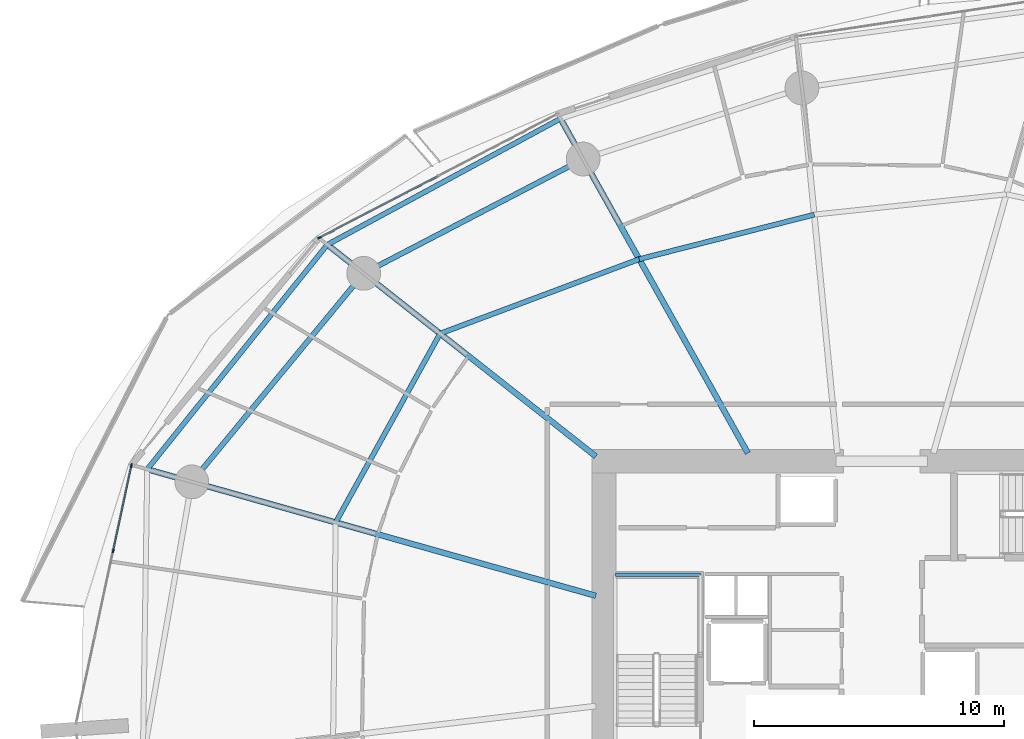
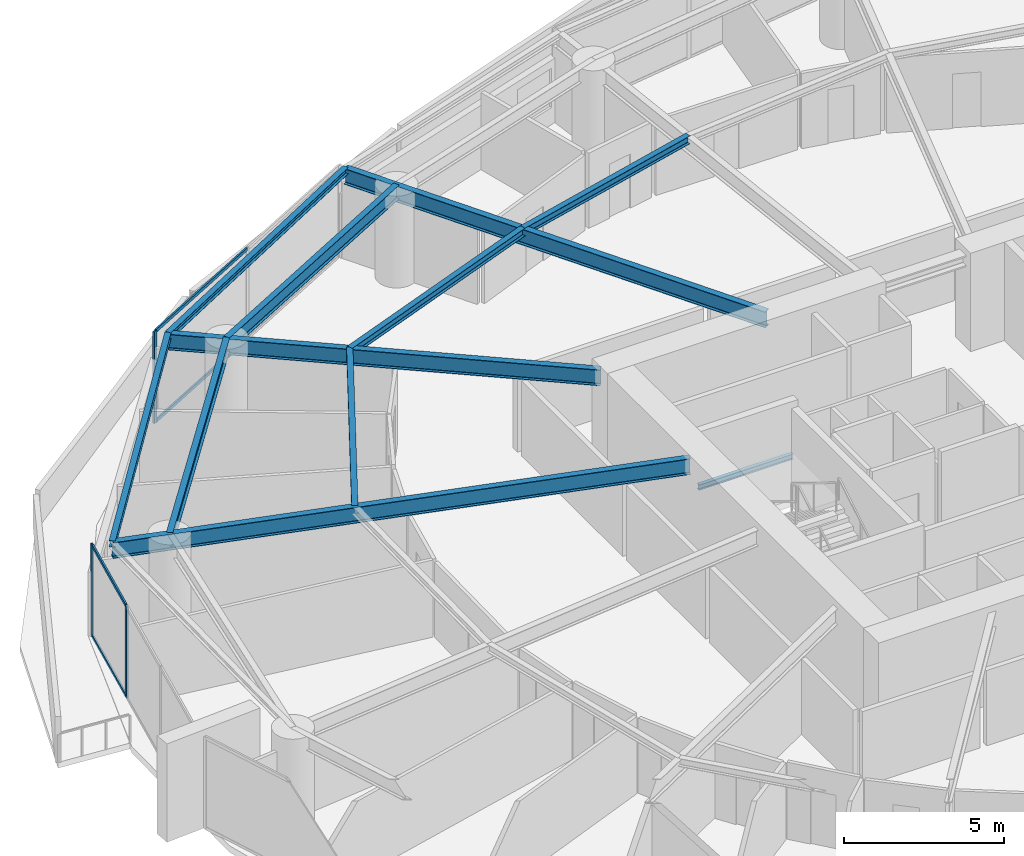
# One storey, part 12 of 31: 11 beams, 7 members, 2 elements without a shape of their own.
"""IFC4 building model written with IfcOpenShell, lengths in metres."""

from ifc_helpers import new_model, si_unit, direction, frame, origin, origin_2d, place, context, subcontext, project, spatial, rectangle, i_section, extrude, material, layer, layer_set, material_profile, profile_set, type_object, element, aggregate, save


model = new_model("IFC4")

# Units and contexts
model_context = context("Model", 3, precision=1e-05, world=origin(), true_north=direction((0.0, 1.0)))
body_context = subcontext(model_context, "Body", "Model", "MODEL_VIEW")
ifc_project = project(units=[si_unit("LENGTHUNIT", "METRE"), si_unit("AREAUNIT", "SQUARE_METRE"), si_unit("VOLUMEUNIT", "CUBIC_METRE"), si_unit("PLANEANGLEUNIT", "RADIAN"), si_unit("MASSUNIT", "GRAM", prefix="KILO")], contexts=[model_context])

# Site, building, storey
site_placement = place(None, origin())
site = spatial("IfcSite", under=ifc_project, at=site_placement, CompositionType="ELEMENT")
building_placement = place(site_placement, origin())
building = spatial("IfcBuilding", under=site, at=building_placement, Name="Kazma Halo Residences", CompositionType="ELEMENT")
storey_placement = place(building_placement, frame((0.0, 0.0, 37.64990234375)))
storey = spatial("IfcBuildingStorey", under=building, at=storey_placement, Name="L08", CompositionType="ELEMENT", Elevation=37.64990234375)

# Beams
ifc_material_1 = material(Name="Steel S355", Category="steel")
ifc_material_profile_1 = material_profile(ifc_material_1, i_section(OverallWidth=0.201904296875, OverallDepth=0.2470703125, WebThickness=0.00732421875, FlangeThickness=0.010986328125, FilletRadius=0.011962890625, at=origin_2d()), Name="W250x49.1")
ifc_profile_set_1 = profile_set([ifc_material_profile_1], Name="Steel S355")
beam_type_1 = type_object("IfcBeamType", Name="BM-BAL-CANT", PredefinedType="BEAM", material=ifc_profile_set_1)
beam_1_placement = place(storey_placement, frame((35.587646484375, 64.163818359375, 3.376708984375), z_axis=(-0.879759421466, -0.47541914175, 0.0), x_axis=(0.47541914175, -0.879759421466, 0.0)))
element("IfcBeam", 1, at=beam_1_placement, inside=storey, type_object=beam_type_1, Name="L08 wave-balcony tie beam 05", PredefinedType="BEAM", context=body_context, shape_type="SweptSolid", body=[
    extrude(i_section(OverallWidth=0.201904296875, OverallDepth=0.2470703125, WebThickness=0.00732421875, FlangeThickness=0.010986328125, FilletRadius=0.011962890625, at=origin_2d()), origin(), (0.0, 0.0, 1.0), 10.58935546875),
])
beam_2_placement = place(storey_placement, frame((26.271484375, 59.12939453125, 3.376708984375), z_axis=(-0.625476617708, -0.780242911343, 0.0), x_axis=(0.780242911343, -0.625476617708, 0.0)))
element("IfcBeam", 2, at=beam_2_placement, inside=storey, type_object=beam_type_1, Name="L08 wave-balcony tie beam 06", PredefinedType="BEAM", context=body_context, shape_type="SweptSolid", body=[
    extrude(i_section(OverallWidth=0.201904296875, OverallDepth=0.2470703125, WebThickness=0.00732421875, FlangeThickness=0.010986328125, FilletRadius=0.011962890625, at=origin_2d()), origin(), (0.0, 0.0, 1.0), 11.499755859375),
])
ifc_material_profile_2 = material_profile(ifc_material_1, i_section(OverallWidth=0.22802734375, OverallDepth=0.60791015625, WebThickness=0.01123046875, FlangeThickness=0.017333984375, FilletRadius=0.01806640625, at=origin_2d()), Name="W610x113")
ifc_profile_set_2 = profile_set([ifc_material_profile_2], Name="Steel S355")
beam_type_2 = type_object("IfcBeamType", Name="BM-RAD-W610", PredefinedType="BEAM", material=ifc_profile_set_2)
beam_3_placement = place(storey_placement, frame((43.07177734375, 50.800048828125, 3.196044921875), z_axis=(-0.488624239587, 0.872494328055, 0.0), x_axis=(-0.872494328055, -0.488624239587, 0.0)))
element("IfcBeam", 3, at=beam_3_placement, inside=storey, type_object=beam_type_2, Name="L08 radial floor beam 05", PredefinedType="BEAM", context=body_context, shape_type="SweptSolid", body=[
    extrude(i_section(OverallWidth=0.22802734375, OverallDepth=0.60791015625, WebThickness=0.01123046875, FlangeThickness=0.017333984375, FilletRadius=0.01806640625, at=origin_2d()), origin(), (0.0, 0.0, 1.0), 15.316650390625),
])
beam_4_placement = place(storey_placement, frame((37.0, 50.671630859375, 3.196044921875), z_axis=(-0.78531394447, 0.619097737536, 0.0), x_axis=(-0.619097737536, -0.78531394447, 0.0)))
element("IfcBeam", 4, at=beam_4_placement, inside=storey, type_object=beam_type_2, Name="L08 radial floor beam 06", PredefinedType="BEAM", context=body_context, shape_type="SweptSolid", body=[
    extrude(i_section(OverallWidth=0.22802734375, OverallDepth=0.60791015625, WebThickness=0.01123046875, FlangeThickness=0.017333984375, FilletRadius=0.01806640625, at=origin_2d()), origin(), (0.0, 0.0, 1.0), 13.661376953125),
])
beam_5_placement = place(storey_placement, frame((37.0, 45.102294921875, 3.196044921875), z_axis=(-0.962453979784, 0.271444905641, 0.0), x_axis=(-0.271444905641, -0.962453979784, 0.0)))
element("IfcBeam", 5, at=beam_5_placement, inside=storey, type_object=beam_type_2, Name="L08 radial floor beam 07", PredefinedType="BEAM", context=body_context, shape_type="SweptSolid", body=[
    extrude(i_section(OverallWidth=0.22802734375, OverallDepth=0.60791015625, WebThickness=0.01123046875, FlangeThickness=0.017333984375, FilletRadius=0.01806640625, at=origin_2d()), origin(), (0.0, 0.0, 1.0), 18.62060546875),
])
ifc_material_profile_3 = material_profile(ifc_material_1, i_section(OverallWidth=0.202880859375, OverallDepth=0.302978515625, WebThickness=0.007568359375, FlangeThickness=0.01318359375, FilletRadius=0.013916015625, at=origin_2d()), Name="W310x60")
ifc_profile_set_3 = profile_set([ifc_material_profile_3], Name="Steel S355")
beam_type_3 = type_object("IfcBeamType", Name="BM-SEC-W310A", PredefinedType="JOIST", material=ifc_profile_set_3)
beam_6_placement = place(storey_placement, frame((45.7236328125, 60.329833984375, 3.3486328125), z_axis=(-0.969127021388, -0.246561993047, 0.0), x_axis=(0.246561993047, -0.969127021388, 0.0)))
element("IfcBeam", 6, at=beam_6_placement, inside=storey, type_object=beam_type_3, Name="L08 circumferential floor joist 04", PredefinedType="JOIST", context=body_context, shape_type="SweptSolid", body=[
    extrude(i_section(OverallWidth=0.202880859375, OverallDepth=0.302978515625, WebThickness=0.007568359375, FlangeThickness=0.01318359375, FilletRadius=0.013916015625, at=origin_2d()), origin(), (0.0, 0.0, 1.0), 7.21533203125),
])
beam_7_placement = place(storey_placement, frame((38.73095703125, 58.55078125, 3.3486328125), z_axis=(-0.936676104069, -0.350196910417, 0.0), x_axis=(0.350196910417, -0.936676104069, 0.0)))
element("IfcBeam", 7, at=beam_7_placement, inside=storey, type_object=beam_type_3, Name="L08 circumferential floor joist 05", PredefinedType="JOIST", context=body_context, shape_type="SweptSolid", body=[
    extrude(i_section(OverallWidth=0.202880859375, OverallDepth=0.302978515625, WebThickness=0.007568359375, FlangeThickness=0.01318359375, FilletRadius=0.013916015625, at=origin_2d()), origin(), (0.0, 0.0, 1.0), 8.4912109375),
])
beam_8_placement = place(storey_placement, frame((30.77734375, 55.5771484375, 3.3486328125), z_axis=(-0.483953872195, -0.875093509054, 0.0), x_axis=(0.875093509054, -0.483953872195, 0.0)))
element("IfcBeam", 8, at=beam_8_placement, inside=storey, type_object=beam_type_3, Name="L08 circumferential floor joist 06", PredefinedType="JOIST", context=body_context, shape_type="SweptSolid", body=[
    extrude(i_section(OverallWidth=0.202880859375, OverallDepth=0.302978515625, WebThickness=0.007568359375, FlangeThickness=0.01318359375, FilletRadius=0.013916015625, at=origin_2d()), origin(), (0.0, 0.0, 1.0), 8.619873046875),
])
ifc_material_profile_4 = material_profile(ifc_material_1, i_section(OverallWidth=0.208984375, OverallDepth=0.532958984375, WebThickness=0.01025390625, FlangeThickness=0.015625, FilletRadius=0.01611328125, at=origin_2d()), Name="W530x92")
ifc_profile_set_4 = profile_set([ifc_material_profile_4], Name="Steel S355")
beam_type_4 = type_object("IfcBeamType", Name="BM-SPN-W530", PredefinedType="BEAM", material=ifc_profile_set_4)
beam_9_placement = place(storey_placement, frame((36.49169921875, 62.549560546875, 3.233642578125), z_axis=(-0.886956241699, -0.461853467358, 0.0), x_axis=(0.461853467358, -0.886956241699, 0.0)))
element("IfcBeam", 9, at=beam_9_placement, inside=storey, type_object=beam_type_4, Name="L08 perimeter ring beam 05", PredefinedType="BEAM", context=body_context, shape_type="SweptSolid", body=[
    extrude(i_section(OverallWidth=0.208984375, OverallDepth=0.532958984375, WebThickness=0.01025390625, FlangeThickness=0.015625, FilletRadius=0.01611328125, at=origin_2d()), origin(), (0.0, 0.0, 1.0), 9.885009765625),
])
beam_10_placement = place(storey_placement, frame((27.72412109375, 57.984130859375, 3.233642578125), z_axis=(-0.636001336663, -0.771687954916, 0.0), x_axis=(0.771687954916, -0.636001336663, 0.0)))
element("IfcBeam", 10, at=beam_10_placement, inside=storey, type_object=beam_type_4, Name="L08 perimeter ring beam 06", PredefinedType="BEAM", context=body_context, shape_type="SweptSolid", body=[
    extrude(i_section(OverallWidth=0.208984375, OverallDepth=0.532958984375, WebThickness=0.01025390625, FlangeThickness=0.015625, FilletRadius=0.01611328125, at=origin_2d()), origin(), (0.0, 0.0, 1.0), 10.7939453125),
])
ifc_material_profile_5 = material_profile(ifc_material_1, i_section(OverallWidth=0.133056640625, OverallDepth=0.20703125, WebThickness=0.005859375, FlangeThickness=0.00830078125, FilletRadius=0.010009765625, at=origin_2d()), Name="W200x26.6")
ifc_profile_set_5 = profile_set([ifc_material_profile_5], Name="Steel S355")
beam_type_5 = type_object("IfcBeamType", Name="BM-TRIM-W200", PredefinedType="BEAM", material=ifc_profile_set_5)
beam_11_placement = place(storey_placement, frame((37.780029296875, 45.93994140625, 1.570068359375), z_axis=(1.0, 0.0, 0.0), x_axis=(0.0, 1.0, 0.0)))
element("IfcBeam", 11, at=beam_11_placement, inside=storey, type_object=beam_type_5, Name="L08 ST-01 landing end wall ledger", PredefinedType="BEAM", context=body_context, shape_type="SweptSolid", body=[
    extrude(i_section(OverallWidth=0.133056640625, OverallDepth=0.20703125, WebThickness=0.005859375, FlangeThickness=0.00830078125, FilletRadius=0.010009765625, at=origin_2d()), origin(), (0.0, 0.0, 1.0), 3.39990234375),
])

# Curtain wall, member
ifc_material_2 = material(Name="Aluminium AW-6063 T6 and Triple-Silver Low-E Glass", Category="aluminium")
ifc_layer = layer(ifc_material_2, 0.159912109375)
ifc_layer_set = layer_set([ifc_layer], Name="Aluminium AW-6063 T6 and Triple-Silver Low-E Glass")
curtain_wall_type = type_object("IfcCurtainWallType", Name="CW-SYS-2", PredefinedType="NOTDEFINED", material=ifc_layer_set)
curtain_wall_1_placement = place(storey_placement, origin())
curtain_wall_1 = element("IfcCurtainWall", 12, at=curtain_wall_1_placement, inside=storey, type_object=curtain_wall_type, Name="L08 unitised curtain wall B05", PredefinedType="NOTDEFINED")
ifc_material_3 = material(Name="Aluminium AW-6063 T6", Category="aluminium")
ifc_material_profile_6 = material_profile(ifc_material_3, rectangle(XDim=0.06005859375, YDim=0.159912109375, at=origin_2d()), Name="CWM-60x160")
ifc_profile_set_6 = profile_set([ifc_material_profile_6], Name="Aluminium AW-6063 T6")
member_type_1 = type_object("IfcMemberType", Name="CW-SYS-2-MUL", PredefinedType="MULLION", material=ifc_profile_set_6)
member_1_placement = place(storey_placement, frame((25.96142578125, 59.408447265625, 0.0), z_axis=(0.0, 0.0, 1.0), x_axis=(0.460995912628, -0.887402258584, 0.0)))
member_1 = element("IfcMember", 13, at=member_1_placement, type_object=member_type_1, Name="CWS-2 mullion 3", PredefinedType="MULLION", context=body_context, shape_type="SweptSolid", body=[
    extrude(rectangle(XDim=0.06005859375, YDim=0.159912109375, at=origin_2d()), origin(), (0.0, 0.0, 1.0), 3.5),
])

# Curtain wall, members
curtain_wall_2_placement = place(storey_placement, origin())
curtain_wall_2 = element("IfcCurtainWall", 14, at=curtain_wall_2_placement, inside=storey, type_object=curtain_wall_type, Name="L08 unitised curtain wall B07", PredefinedType="NOTDEFINED")
member_2_placement = place(storey_placement, frame((18.447021484375, 50.3037109375, 0.0), z_axis=(0.0, 0.0, 1.0), x_axis=(0.977779215096, -0.209637321406, 0.0)))
member_2 = element("IfcMember", 15, at=member_2_placement, type_object=member_type_1, Name="CWS-2 mullion 1", PredefinedType="MULLION", context=body_context, shape_type="SweptSolid", body=[
    extrude(rectangle(XDim=0.06005859375, YDim=0.159912109375, at=origin_2d()), origin(), (0.0, 0.0, 1.0), 3.5),
])
member_3_placement = place(storey_placement, frame((17.717041015625, 46.898681640625, 0.0), z_axis=(0.0, 0.0, 1.0), x_axis=(0.977779215096, -0.209637321406, 0.0)))
member_3 = element("IfcMember", 16, at=member_3_placement, type_object=member_type_1, Name="CWS-2 mullion 2", PredefinedType="MULLION", context=body_context, shape_type="SweptSolid", body=[
    extrude(rectangle(XDim=0.06005859375, YDim=0.159912109375, at=origin_2d()), origin(), (0.0, 0.0, 1.0), 3.5),
])

# Member
ifc_material_profile_7 = material_profile(ifc_material_3, rectangle(XDim=0.06005859375, YDim=0.1201171875, at=origin_2d()), Name="CWT-60x120")
ifc_profile_set_7 = profile_set([ifc_material_profile_7], Name="Aluminium AW-6063 T6")
member_type_2 = type_object("IfcMemberType", Name="CW-SYS-2-TRN", PredefinedType="USERDEFINED", material=ifc_profile_set_7)
member_4_placement = place(storey_placement, frame((30.681396484375, 61.8603515625, 0.030029296875), z_axis=(-0.887414738583, -0.460971888238, 0.0), x_axis=(0.460971888238, -0.887414738583, 0.0)))
member_4 = element("IfcMember", 17, at=member_4_placement, type_object=member_type_2, Name="CWS-2 transom 2.1", ObjectType="TRANSOM", PredefinedType="USERDEFINED", context=body_context, shape_type="SweptSolid", body=[
    extrude(rectangle(XDim=0.06005859375, YDim=0.1201171875, at=origin_2d()), origin(), (0.0, 0.0, 1.0), 5.288818359375),
])

member_5_placement = place(storey_placement, frame((30.681396484375, 61.8603515625, 3.47021484375), z_axis=(-0.887414738583, -0.460971888238, 0.0), x_axis=(0.460971888238, -0.887414738583, 0.0)))
member_5 = element("IfcMember", 18, at=member_5_placement, type_object=member_type_2, Name="CWS-2 transom 2.2", ObjectType="TRANSOM", PredefinedType="USERDEFINED", context=body_context, shape_type="SweptSolid", body=[
    extrude(rectangle(XDim=0.06005859375, YDim=0.1201171875, at=origin_2d()), origin(), (0.0, 0.0, 1.0), 5.288818359375),
])

aggregate(curtain_wall_1, [member_1, member_4, member_5])

member_6_placement = place(storey_placement, frame((18.440673828125, 50.2744140625, 0.030029296875), z_axis=(-0.209650877007, -0.977776308657, 0.0), x_axis=(0.977776308657, -0.209650877007, 0.0)))
member_6 = element("IfcMember", 19, at=member_6_placement, type_object=member_type_2, Name="CWS-2 transom 1.1", ObjectType="TRANSOM", PredefinedType="USERDEFINED", context=body_context, shape_type="SweptSolid", body=[
    extrude(rectangle(XDim=0.06005859375, YDim=0.1201171875, at=origin_2d()), origin(), (0.0, 0.0, 1.0), 3.422607421875),
])

member_7_placement = place(storey_placement, frame((18.440673828125, 50.2744140625, 3.47021484375), z_axis=(-0.209650877007, -0.977776308657, 0.0), x_axis=(0.977776308657, -0.209650877007, 0.0)))
member_7 = element("IfcMember", 20, at=member_7_placement, type_object=member_type_2, Name="CWS-2 transom 1.2", ObjectType="TRANSOM", PredefinedType="USERDEFINED", context=body_context, shape_type="SweptSolid", body=[
    extrude(rectangle(XDim=0.06005859375, YDim=0.1201171875, at=origin_2d()), origin(), (0.0, 0.0, 1.0), 3.422607421875),
])

aggregate(curtain_wall_2, [member_2, member_3, member_6, member_7])

save(model, "model.ifc")
